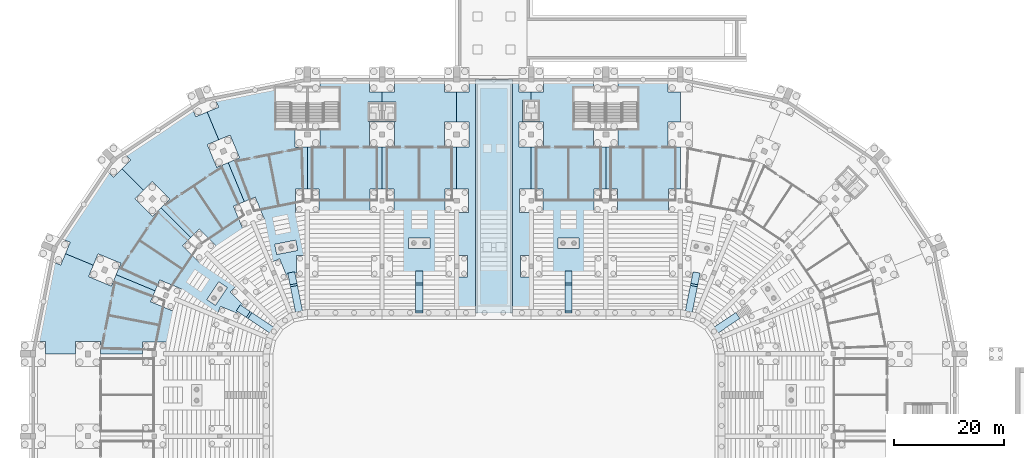
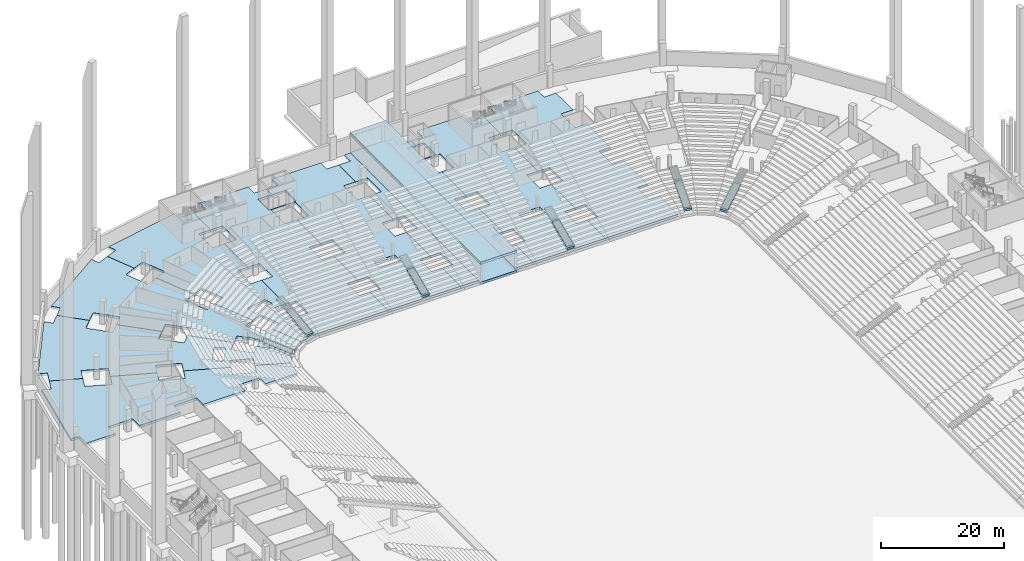
# One storey, part 19 of 115: 23 slabs.
"""IFC4 building model written with IfcOpenShell, lengths in metres."""

from ifc_helpers import new_model, si_unit, direction, frame, origin, place, context, subcontext, project, spatial, polyline, outline, extrude, material, layer, layer_set, type_object, element, save


model = new_model("IFC4")

# Units and contexts
model_context = context("Model", 3, precision=1e-05, world=origin(), true_north=direction((0.0, 1.0)))
body_context = subcontext(model_context, "Body", "Model", "MODEL_VIEW")
ifc_project = project(units=[si_unit("LENGTHUNIT", "METRE"), si_unit("AREAUNIT", "SQUARE_METRE"), si_unit("VOLUMEUNIT", "CUBIC_METRE"), si_unit("PLANEANGLEUNIT", "RADIAN"), si_unit("MASSUNIT", "GRAM", prefix="KILO")], contexts=[model_context])

# Site, building, storey
site_placement = place(None, origin())
site = spatial("IfcSite", under=ifc_project, at=site_placement, CompositionType="ELEMENT")
building_placement = place(site_placement, origin())
building = spatial("IfcBuilding", under=site, at=building_placement, Name="Ogive Plaza Stadium", CompositionType="ELEMENT")
storey_placement = place(building_placement, frame((0.0, 0.0, -4.5)))
storey = spatial("IfcBuildingStorey", under=building, at=storey_placement, Name="B1", CompositionType="ELEMENT", Elevation=-4.5)

# Slabs
ifc_material_1 = material(Name="Concrete C40/50", Category="concrete")
ifc_layer_1 = layer(ifc_material_1, 0.75927734375)
ifc_layer_set_1 = layer_set([ifc_layer_1], Name="Concrete C40/50")
ifc_layer_2 = layer(ifc_material_1, 0.449951171875)
ifc_layer_set_2 = layer_set([ifc_layer_2], Name="Concrete C40/50")
slab_type_1 = type_object("IfcSlabType", Name="Aisle stair slab 1300", PredefinedType="USERDEFINED", material=ifc_layer_set_2)
slab_1_placement = place(storey_placement, frame((-40.236083984375, 56.666748046875, 4.5), z_axis=(0.0, 0.0, 1.0), x_axis=(-0.831469612303, 0.55557023302, 0.0)))
element("IfcSlab", 1, at=slab_1_placement, inside=storey, type_object=slab_type_1, material=ifc_layer_set_1, Name="Aisle stair SA29D slab 1", ObjectType="AISLE STAIR SLAB", PredefinedType="USERDEFINED", context=body_context, shape_type="SweptSolid", body=[
    extrude(outline(polyline([(0.0, -3.375), (0.37158203125, -3.375), (5.10009765625, -1.288818359375), (5.10009765625, -1.699951171875), (5.01220703125, -1.73876953125), (4.8623046875, -1.804931640625), (4.71240234375, -1.87109375), (4.562255859375, -1.937255859375), (4.412353515625, -2.00341796875), (4.26220703125, -2.069580078125), (4.1123046875, -2.1357421875), (3.96240234375, -2.201904296875), (3.812255859375, -2.26806640625), (3.662353515625, -2.334228515625), (3.51220703125, -2.400390625), (3.3623046875, -2.466552734375), (3.21240234375, -2.53271484375), (3.062255859375, -2.59912109375), (2.912353515625, -2.665283203125), (2.76220703125, -2.731201171875), (2.6123046875, -2.797607421875), (2.46240234375, -2.86376953125), (2.312255859375, -2.929931640625), (2.162353515625, -2.99609375), (2.01220703125, -3.062255859375), (1.8623046875, -3.12841796875), (1.71240234375, -3.194580078125), (1.562255859375, -3.2607421875), (1.412353515625, -3.326904296875), (1.26220703125, -3.39306640625), (1.1123046875, -3.459228515625), (0.96240234375, -3.525390625), (0.812255859375, -3.591552734375), (0.662353515625, -3.65771484375), (0.60009765625, -3.685302734375), (0.60009765625, -3.949951171875), (0.51220703125, -3.949951171875), (0.3623046875, -3.949951171875), (0.21240234375, -3.949951171875), (0.0, -3.375)])), frame((0.0, 0.64990234375, 0.0), z_axis=(0.0, -1.0, 0.0), x_axis=(1.0, 0.0, 0.0)), (0.0, 0.0, 1.0), 1.300048828125),
])
ifc_layer_3 = layer(ifc_material_1, 0.5380859375)
ifc_layer_set_3 = layer_set([ifc_layer_3], Name="Concrete C40/50")
slab_2_placement = place(storey_placement, frame((-44.4765625, 59.500244140625, 4.5), z_axis=(0.0, 0.0, 1.0), x_axis=(-0.831469612303, 0.55557023302, 0.0)))
element("IfcSlab", 2, at=slab_2_placement, inside=storey, type_object=slab_type_1, material=ifc_layer_set_3, Name="Aisle stair SA29D slab 2", ObjectType="AISLE STAIR SLAB", PredefinedType="USERDEFINED", context=body_context, shape_type="SweptSolid", body=[
    extrude(outline(polyline([(0.0, -1.125), (0.37158203125, -1.125), (2.550048828125, -0.163818359375), (2.550048828125, -0.574951171875), (2.39990234375, -0.64111328125), (2.25, -0.70751953125), (2.10009765625, -0.7734375), (1.949951171875, -0.839599609375), (1.800048828125, -0.906005859375), (1.64990234375, -0.97216796875), (1.5, -1.0380859375), (1.35009765625, -1.1044921875), (1.199951171875, -1.170654296875), (1.050048828125, -1.23681640625), (0.89990234375, -1.302978515625), (0.75, -1.369140625), (0.60009765625, -1.435302734375), (0.449951171875, -1.50146484375), (0.300048828125, -1.567626953125), (0.14990234375, -1.6337890625), (0.0, -1.699951171875), (0.0, -1.125)])), frame((0.0, 0.64990234375, 0.0), z_axis=(0.0, -1.0, 0.0), x_axis=(1.0, 0.0, 0.0)), (0.0, 0.0, 1.0), 1.300048828125),
])
slab_3_placement = place(storey_placement, frame((-35.463134765625, 59.85595703125, 4.5), z_axis=(0.0, 0.0, 1.0), x_axis=(-0.195090322016, 0.980785280403, 0.0)))
element("IfcSlab", 3, at=slab_3_placement, inside=storey, type_object=slab_type_1, material=ifc_layer_set_1, Name="Aisle stair SA31D slab 1", ObjectType="AISLE STAIR SLAB", PredefinedType="USERDEFINED", context=body_context, shape_type="SweptSolid", body=[
    extrude(outline(polyline([(0.0, -3.375), (0.37158203125, -3.375), (5.10009765625, -1.288818359375), (5.10009765625, -1.699951171875), (5.01220703125, -1.73876953125), (4.8623046875, -1.804931640625), (4.71240234375, -1.87109375), (4.562255859375, -1.937255859375), (4.412353515625, -2.00341796875), (4.26220703125, -2.069580078125), (4.1123046875, -2.1357421875), (3.96240234375, -2.201904296875), (3.812255859375, -2.26806640625), (3.662353515625, -2.334228515625), (3.51220703125, -2.400390625), (3.3623046875, -2.466552734375), (3.21240234375, -2.53271484375), (3.062255859375, -2.59912109375), (2.912353515625, -2.665283203125), (2.76220703125, -2.731201171875), (2.6123046875, -2.797607421875), (2.46240234375, -2.86376953125), (2.312255859375, -2.929931640625), (2.162353515625, -2.99609375), (2.01220703125, -3.062255859375), (1.8623046875, -3.12841796875), (1.71240234375, -3.194580078125), (1.562255859375, -3.2607421875), (1.412353515625, -3.326904296875), (1.26220703125, -3.39306640625), (1.1123046875, -3.459228515625), (0.96240234375, -3.525390625), (0.812255859375, -3.591552734375), (0.662353515625, -3.65771484375), (0.60009765625, -3.685302734375), (0.60009765625, -3.949951171875), (0.51220703125, -3.949951171875), (0.3623046875, -3.949951171875), (0.21240234375, -3.949951171875), (0.0, -3.375)])), frame((0.0, 0.64990234375, 0.0), z_axis=(0.0, -1.0, 0.0), x_axis=(1.0, 0.0, 0.0)), (0.0, 0.0, 1.0), 1.300048828125),
])
slab_4_placement = place(storey_placement, frame((-36.458251953125, 64.85791015625, 4.5), z_axis=(0.0, 0.0, 1.0), x_axis=(-0.195090322016, 0.980785280403, 0.0)))
element("IfcSlab", 4, at=slab_4_placement, inside=storey, type_object=slab_type_1, material=ifc_layer_set_3, Name="Aisle stair SA31D slab 2", ObjectType="AISLE STAIR SLAB", PredefinedType="USERDEFINED", context=body_context, shape_type="SweptSolid", body=[
    extrude(outline(polyline([(0.0, -1.125), (0.37158203125, -1.125), (2.550048828125, -0.163818359375), (2.550048828125, -0.574951171875), (2.39990234375, -0.64111328125), (2.25, -0.70751953125), (2.10009765625, -0.7734375), (1.949951171875, -0.839599609375), (1.800048828125, -0.906005859375), (1.64990234375, -0.97216796875), (1.5, -1.0380859375), (1.35009765625, -1.1044921875), (1.199951171875, -1.170654296875), (1.050048828125, -1.23681640625), (0.89990234375, -1.302978515625), (0.75, -1.369140625), (0.60009765625, -1.435302734375), (0.449951171875, -1.50146484375), (0.300048828125, -1.567626953125), (0.14990234375, -1.6337890625), (0.0, -1.699951171875), (0.0, -1.125)])), frame((0.0, 0.64990234375, 0.0), z_axis=(0.0, -1.0, 0.0), x_axis=(1.0, 0.0, 0.0)), (0.0, 0.0, 1.0), 1.300048828125),
])
slab_5_placement = place(storey_placement, frame((-13.60009765625, 60.0, 4.5), z_axis=(0.0, 0.0, 1.0), x_axis=(0.0, 1.0, 0.0)))
element("IfcSlab", 5, at=slab_5_placement, inside=storey, type_object=slab_type_1, material=ifc_layer_set_1, Name="Aisle stair SA33D slab 1", ObjectType="AISLE STAIR SLAB", PredefinedType="USERDEFINED", context=body_context, shape_type="SweptSolid", body=[
    extrude(outline(polyline([(0.0, -3.375), (0.37158203125, -3.375), (5.10009765625, -1.288818359375), (5.10009765625, -1.699951171875), (5.01220703125, -1.73876953125), (4.8623046875, -1.804931640625), (4.71240234375, -1.87109375), (4.562255859375, -1.937255859375), (4.412353515625, -2.00341796875), (4.26220703125, -2.069580078125), (4.1123046875, -2.1357421875), (3.96240234375, -2.201904296875), (3.812255859375, -2.26806640625), (3.662353515625, -2.334228515625), (3.51220703125, -2.400390625), (3.3623046875, -2.466552734375), (3.21240234375, -2.53271484375), (3.062255859375, -2.59912109375), (2.912353515625, -2.665283203125), (2.76220703125, -2.731201171875), (2.6123046875, -2.797607421875), (2.46240234375, -2.86376953125), (2.312255859375, -2.929931640625), (2.162353515625, -2.99609375), (2.01220703125, -3.062255859375), (1.8623046875, -3.12841796875), (1.71240234375, -3.194580078125), (1.562255859375, -3.2607421875), (1.412353515625, -3.326904296875), (1.26220703125, -3.39306640625), (1.1123046875, -3.459228515625), (0.96240234375, -3.525390625), (0.812255859375, -3.591552734375), (0.662353515625, -3.65771484375), (0.60009765625, -3.685302734375), (0.60009765625, -3.949951171875), (0.51220703125, -3.949951171875), (0.3623046875, -3.949951171875), (0.21240234375, -3.949951171875), (0.0, -3.375)])), frame((0.0, 0.64990234375, 0.0), z_axis=(0.0, -1.0, 0.0), x_axis=(1.0, 0.0, 0.0)), (0.0, 0.0, 1.0), 1.300048828125),
])
slab_6_placement = place(storey_placement, frame((-13.60009765625, 65.10009765625, 4.5), z_axis=(0.0, 0.0, 1.0), x_axis=(0.0, 1.0, 0.0)))
element("IfcSlab", 6, at=slab_6_placement, inside=storey, type_object=slab_type_1, material=ifc_layer_set_3, Name="Aisle stair SA33D slab 2", ObjectType="AISLE STAIR SLAB", PredefinedType="USERDEFINED", context=body_context, shape_type="SweptSolid", body=[
    extrude(outline(polyline([(0.0, -1.125), (0.37158203125, -1.125), (2.550048828125, -0.163818359375), (2.550048828125, -0.574951171875), (2.39990234375, -0.64111328125), (2.25, -0.70751953125), (2.10009765625, -0.7734375), (1.949951171875, -0.839599609375), (1.800048828125, -0.906005859375), (1.64990234375, -0.97216796875), (1.5, -1.0380859375), (1.35009765625, -1.1044921875), (1.199951171875, -1.170654296875), (1.050048828125, -1.23681640625), (0.89990234375, -1.302978515625), (0.75, -1.369140625), (0.60009765625, -1.435302734375), (0.449951171875, -1.50146484375), (0.300048828125, -1.567626953125), (0.14990234375, -1.6337890625), (0.0, -1.699951171875), (0.0, -1.125)])), frame((0.0, 0.64990234375, 0.0), z_axis=(0.0, -1.0, 0.0), x_axis=(1.0, 0.0, 0.0)), (0.0, 0.0, 1.0), 1.300048828125),
])
slab_7_placement = place(storey_placement, frame((13.60009765625, 60.0, 4.5), z_axis=(0.0, 0.0, 1.0), x_axis=(0.0, 1.0, 0.0)))
element("IfcSlab", 7, at=slab_7_placement, inside=storey, type_object=slab_type_1, material=ifc_layer_set_1, Name="Aisle stair SA35D slab 1", ObjectType="AISLE STAIR SLAB", PredefinedType="USERDEFINED", context=body_context, shape_type="SweptSolid", body=[
    extrude(outline(polyline([(0.0, -3.375), (0.37158203125, -3.375), (5.10009765625, -1.288818359375), (5.10009765625, -1.699951171875), (5.01220703125, -1.73876953125), (4.8623046875, -1.804931640625), (4.71240234375, -1.87109375), (4.562255859375, -1.937255859375), (4.412353515625, -2.00341796875), (4.26220703125, -2.069580078125), (4.1123046875, -2.1357421875), (3.96240234375, -2.201904296875), (3.812255859375, -2.26806640625), (3.662353515625, -2.334228515625), (3.51220703125, -2.400390625), (3.3623046875, -2.466552734375), (3.21240234375, -2.53271484375), (3.062255859375, -2.59912109375), (2.912353515625, -2.665283203125), (2.76220703125, -2.731201171875), (2.6123046875, -2.797607421875), (2.46240234375, -2.86376953125), (2.312255859375, -2.929931640625), (2.162353515625, -2.99609375), (2.01220703125, -3.062255859375), (1.8623046875, -3.12841796875), (1.71240234375, -3.194580078125), (1.562255859375, -3.2607421875), (1.412353515625, -3.326904296875), (1.26220703125, -3.39306640625), (1.1123046875, -3.459228515625), (0.96240234375, -3.525390625), (0.812255859375, -3.591552734375), (0.662353515625, -3.65771484375), (0.60009765625, -3.685302734375), (0.60009765625, -3.949951171875), (0.51220703125, -3.949951171875), (0.3623046875, -3.949951171875), (0.21240234375, -3.949951171875), (0.0, -3.375)])), frame((0.0, 0.64990234375, 0.0), z_axis=(0.0, -1.0, 0.0), x_axis=(1.0, 0.0, 0.0)), (0.0, 0.0, 1.0), 1.300048828125),
])
slab_8_placement = place(storey_placement, frame((13.60009765625, 65.10009765625, 4.5), z_axis=(0.0, 0.0, 1.0), x_axis=(0.0, 1.0, 0.0)))
element("IfcSlab", 8, at=slab_8_placement, inside=storey, type_object=slab_type_1, material=ifc_layer_set_3, Name="Aisle stair SA35D slab 2", ObjectType="AISLE STAIR SLAB", PredefinedType="USERDEFINED", context=body_context, shape_type="SweptSolid", body=[
    extrude(outline(polyline([(0.0, -1.125), (0.37158203125, -1.125), (2.550048828125, -0.163818359375), (2.550048828125, -0.574951171875), (2.39990234375, -0.64111328125), (2.25, -0.70751953125), (2.10009765625, -0.7734375), (1.949951171875, -0.839599609375), (1.800048828125, -0.906005859375), (1.64990234375, -0.97216796875), (1.5, -1.0380859375), (1.35009765625, -1.1044921875), (1.199951171875, -1.170654296875), (1.050048828125, -1.23681640625), (0.89990234375, -1.302978515625), (0.75, -1.369140625), (0.60009765625, -1.435302734375), (0.449951171875, -1.50146484375), (0.300048828125, -1.567626953125), (0.14990234375, -1.6337890625), (0.0, -1.699951171875), (0.0, -1.125)])), frame((0.0, 0.64990234375, 0.0), z_axis=(0.0, -1.0, 0.0), x_axis=(1.0, 0.0, 0.0)), (0.0, 0.0, 1.0), 1.300048828125),
])
slab_9_placement = place(storey_placement, frame((35.463134765625, 59.85595703125, 4.5), z_axis=(0.0, 0.0, 1.0), x_axis=(0.195090322016, 0.980785280403, 0.0)))
element("IfcSlab", 9, at=slab_9_placement, inside=storey, type_object=slab_type_1, material=ifc_layer_set_1, Name="Aisle stair SA37D slab 1", ObjectType="AISLE STAIR SLAB", PredefinedType="USERDEFINED", context=body_context, shape_type="SweptSolid", body=[
    extrude(outline(polyline([(0.0, -3.375), (0.37158203125, -3.375), (5.10009765625, -1.288818359375), (5.10009765625, -1.699951171875), (5.01220703125, -1.73876953125), (4.8623046875, -1.804931640625), (4.71240234375, -1.87109375), (4.562255859375, -1.937255859375), (4.412353515625, -2.00341796875), (4.26220703125, -2.069580078125), (4.1123046875, -2.1357421875), (3.96240234375, -2.201904296875), (3.812255859375, -2.26806640625), (3.662353515625, -2.334228515625), (3.51220703125, -2.400390625), (3.3623046875, -2.466552734375), (3.21240234375, -2.53271484375), (3.062255859375, -2.59912109375), (2.912353515625, -2.665283203125), (2.76220703125, -2.731201171875), (2.6123046875, -2.797607421875), (2.46240234375, -2.86376953125), (2.312255859375, -2.929931640625), (2.162353515625, -2.99609375), (2.01220703125, -3.062255859375), (1.8623046875, -3.12841796875), (1.71240234375, -3.194580078125), (1.562255859375, -3.2607421875), (1.412353515625, -3.326904296875), (1.26220703125, -3.39306640625), (1.1123046875, -3.459228515625), (0.96240234375, -3.525390625), (0.812255859375, -3.591552734375), (0.662353515625, -3.65771484375), (0.60009765625, -3.685302734375), (0.60009765625, -3.949951171875), (0.51220703125, -3.949951171875), (0.3623046875, -3.949951171875), (0.21240234375, -3.949951171875), (0.0, -3.375)])), frame((0.0, 0.64990234375, 0.0), z_axis=(0.0, -1.0, 0.0), x_axis=(1.0, 0.0, 0.0)), (0.0, 0.0, 1.0), 1.300048828125),
])
slab_10_placement = place(storey_placement, frame((36.458251953125, 64.85791015625, 4.5), z_axis=(0.0, 0.0, 1.0), x_axis=(0.195090322016, 0.980785280403, 0.0)))
element("IfcSlab", 10, at=slab_10_placement, inside=storey, type_object=slab_type_1, material=ifc_layer_set_3, Name="Aisle stair SA37D slab 2", ObjectType="AISLE STAIR SLAB", PredefinedType="USERDEFINED", context=body_context, shape_type="SweptSolid", body=[
    extrude(outline(polyline([(0.0, -1.125), (0.37158203125, -1.125), (2.550048828125, -0.163818359375), (2.550048828125, -0.574951171875), (2.39990234375, -0.64111328125), (2.25, -0.70751953125), (2.10009765625, -0.7734375), (1.949951171875, -0.839599609375), (1.800048828125, -0.906005859375), (1.64990234375, -0.97216796875), (1.5, -1.0380859375), (1.35009765625, -1.1044921875), (1.199951171875, -1.170654296875), (1.050048828125, -1.23681640625), (0.89990234375, -1.302978515625), (0.75, -1.369140625), (0.60009765625, -1.435302734375), (0.449951171875, -1.50146484375), (0.300048828125, -1.567626953125), (0.14990234375, -1.6337890625), (0.0, -1.699951171875), (0.0, -1.125)])), frame((0.0, 0.64990234375, 0.0), z_axis=(0.0, -1.0, 0.0), x_axis=(1.0, 0.0, 0.0)), (0.0, 0.0, 1.0), 1.300048828125),
])
slab_11_placement = place(storey_placement, frame((40.236083984375, 56.666748046875, 4.5), z_axis=(0.0, 0.0, 1.0), x_axis=(0.831469612303, 0.55557023302, 0.0)))
element("IfcSlab", 11, at=slab_11_placement, inside=storey, type_object=slab_type_1, material=ifc_layer_set_1, Name="Aisle stair SA39D slab 1", ObjectType="AISLE STAIR SLAB", PredefinedType="USERDEFINED", context=body_context, shape_type="SweptSolid", body=[
    extrude(outline(polyline([(0.0, -3.375), (0.37158203125, -3.375), (5.10009765625, -1.288818359375), (5.10009765625, -1.699951171875), (5.01220703125, -1.73876953125), (4.8623046875, -1.804931640625), (4.71240234375, -1.87109375), (4.562255859375, -1.937255859375), (4.412353515625, -2.00341796875), (4.26220703125, -2.069580078125), (4.1123046875, -2.1357421875), (3.96240234375, -2.201904296875), (3.812255859375, -2.26806640625), (3.662353515625, -2.334228515625), (3.51220703125, -2.400390625), (3.3623046875, -2.466552734375), (3.21240234375, -2.53271484375), (3.062255859375, -2.59912109375), (2.912353515625, -2.665283203125), (2.76220703125, -2.731201171875), (2.6123046875, -2.797607421875), (2.46240234375, -2.86376953125), (2.312255859375, -2.929931640625), (2.162353515625, -2.99609375), (2.01220703125, -3.062255859375), (1.8623046875, -3.12841796875), (1.71240234375, -3.194580078125), (1.562255859375, -3.2607421875), (1.412353515625, -3.326904296875), (1.26220703125, -3.39306640625), (1.1123046875, -3.459228515625), (0.96240234375, -3.525390625), (0.812255859375, -3.591552734375), (0.662353515625, -3.65771484375), (0.60009765625, -3.685302734375), (0.60009765625, -3.949951171875), (0.51220703125, -3.949951171875), (0.3623046875, -3.949951171875), (0.21240234375, -3.949951171875), (0.0, -3.375)])), frame((0.0, 0.64990234375, 0.0), z_axis=(0.0, -1.0, 0.0), x_axis=(1.0, 0.0, 0.0)), (0.0, 0.0, 1.0), 1.300048828125),
])
ifc_material_2 = material(Name="Concrete C40/50", Category="concrete")
ifc_layer_4 = layer(ifc_material_2, 0.449951171875)
ifc_layer_set_4 = layer_set([ifc_layer_4], Name="Concrete C40/50")
slab_type_2 = type_object("IfcSlabType", Name="RC ground slab 450", PredefinedType="BASESLAB", material=ifc_layer_set_4)
slab_12_placement = place(storey_placement, frame((0.0, 0.0, -0.39990234375)))
element("IfcSlab", 12, at=slab_12_placement, inside=storey, type_object=slab_type_2, Name="Ground slab B1 B28", PredefinedType="BASESLAB", context=body_context, shape_type="SweptSolid", body=[
    extrude(outline(polyline([(-46.98046875, 57.876708984375), (-47.726806640625, 56.0751953125), (-51.329833984375, 57.567626953125), (-50.583740234375, 59.369140625), (-57.789794921875, 62.35400390625), (-58.612548828125, 60.36767578125), (-62.58544921875, 62.01318359375), (-61.7626953125, 63.999755859375), (-68.87646484375, 66.9462890625), (-69.737548828125, 64.86767578125), (-73.89501953125, 66.589599609375), (-73.033935546875, 68.66845703125), (-78.115234375, 70.773193359375), (-78.976318359375, 68.6943359375), (-80.41064453125, 69.28857421875), (-83.302490234375, 54.75), (-81.75, 54.75), (-81.75, 52.5), (-76.25, 52.5), (-76.25, 54.75), (-71.75, 54.75), (-71.75, 52.5), (-64.050048828125, 52.5), (-64.050048828125, 54.64990234375), (-59.75, 54.64990234375), (-59.75, 52.5), (-51.949951171875, 52.5), (-51.949951171875, 54.449951171875), (-48.050048828125, 54.449951171875), (-48.050048828125, 52.5), (-42.10009765625, 52.5), (-41.4833984375, 55.599853515625), (-46.98046875, 57.876708984375)])), origin(), (0.0, 0.0, 1.0), 0.449951171875),
])
slab_13_placement = place(storey_placement, frame((0.0, 0.0, -0.39990234375)))
element("IfcSlab", 13, at=slab_13_placement, inside=storey, type_object=slab_type_2, Name="Ground slab B1 B29", PredefinedType="BASESLAB", context=body_context, shape_type="SweptSolid", body=[
    extrude(outline(polyline([(-43.934814453125, 62.434814453125), (-45.313720703125, 61.055908203125), (-48.071533203125, 63.813720703125), (-46.692626953125, 65.192626953125), (-52.2080078125, 70.7080078125), (-53.728271484375, 69.187744140625), (-56.768798828125, 72.228271484375), (-55.24853515625, 73.74853515625), (-60.693359375, 79.193359375), (-62.2841796875, 77.602294921875), (-65.46630859375, 80.7841796875), (-63.875244140625, 82.375244140625), (-67.764404296875, 86.264404296875), (-69.355224609375, 84.67333984375), (-70.453125, 85.77099609375), (-78.6884765625, 73.446044921875), (-77.254150390625, 72.851806640625), (-78.115234375, 70.773193359375), (-73.033935546875, 68.66845703125), (-72.1728515625, 70.7470703125), (-68.015380859375, 69.025146484375), (-68.87646484375, 66.9462890625), (-61.7626953125, 63.999755859375), (-60.939697265625, 65.986083984375), (-56.967041015625, 64.34033203125), (-57.789794921875, 62.35400390625), (-50.583740234375, 59.369140625), (-49.83740234375, 61.170654296875), (-46.234375, 59.67822265625), (-46.98046875, 57.876708984375), (-41.4833984375, 55.599853515625), (-39.7275390625, 58.2275390625), (-43.934814453125, 62.434814453125)]), holes=[polyline([(-52.34619140625, 62.413330078125), (-50.766357421875, 61.357666015625), (-48.599609375, 64.600341796875), (-50.179443359375, 65.656005859375), (-52.34619140625, 62.413330078125)])]), origin(), (0.0, 0.0, 1.0), 0.449951171875),
])
slab_14_placement = place(storey_placement, frame((0.0, 0.0, -0.39990234375)))
element("IfcSlab", 14, at=slab_14_placement, inside=storey, type_object=slab_type_2, Name="Ground slab B1 B30", PredefinedType="BASESLAB", context=body_context, shape_type="SweptSolid", body=[
    extrude(outline(polyline([(-39.376708984375, 65.48046875), (-41.17822265625, 64.734375), (-42.670654296875, 68.33740234375), (-40.869140625, 69.083740234375), (-43.85400390625, 76.289794921875), (-45.84033203125, 75.467041015625), (-47.486083984375, 79.439697265625), (-45.499755859375, 80.2626953125), (-48.4462890625, 87.37646484375), (-50.525146484375, 86.515380859375), (-52.2470703125, 90.6728515625), (-50.16845703125, 91.533935546875), (-52.273193359375, 96.615234375), (-54.351806640625, 95.754150390625), (-54.946044921875, 97.1884765625), (-67.27099609375, 88.953125), (-66.17333984375, 87.855224609375), (-67.764404296875, 86.264404296875), (-63.875244140625, 82.375244140625), (-62.2841796875, 83.96630859375), (-59.102294921875, 80.7841796875), (-60.693359375, 79.193359375), (-55.24853515625, 73.74853515625), (-53.728271484375, 75.268798828125), (-50.687744140625, 72.228271484375), (-52.2080078125, 70.7080078125), (-46.692626953125, 65.192626953125), (-45.313720703125, 66.571533203125), (-42.555908203125, 63.813720703125), (-43.934814453125, 62.434814453125), (-39.7275390625, 58.2275390625), (-37.099853515625, 59.9833984375), (-39.376708984375, 65.48046875)])), origin(), (0.0, 0.0, 1.0), 0.449951171875),
])
slab_15_placement = place(storey_placement, frame((0.0, 0.0, -0.39990234375)))
element("IfcSlab", 15, at=slab_15_placement, inside=storey, type_object=slab_type_2, Name="Ground slab B1 B31", PredefinedType="BASESLAB", context=body_context, shape_type="SweptSolid", body=[
    extrude(outline(polyline([(-34.0, 66.550048828125), (-35.949951171875, 66.550048828125), (-35.949951171875, 70.449951171875), (-34.0, 70.449951171875), (-34.0, 78.25), (-36.14990234375, 78.25), (-36.14990234375, 82.550048828125), (-34.0, 82.550048828125), (-34.0, 90.25), (-36.25, 90.25), (-36.25, 94.75), (-34.0, 94.75), (-34.0, 100.25), (-36.25, 100.25), (-36.25, 101.802490234375), (-50.78857421875, 98.91064453125), (-50.1943359375, 97.476318359375), (-52.273193359375, 96.615234375), (-50.16845703125, 91.533935546875), (-48.089599609375, 92.39501953125), (-46.36767578125, 88.237548828125), (-48.4462890625, 87.37646484375), (-45.499755859375, 80.2626953125), (-43.51318359375, 81.08544921875), (-41.86767578125, 77.112548828125), (-43.85400390625, 76.289794921875), (-40.869140625, 69.083740234375), (-39.067626953125, 69.829833984375), (-37.5751953125, 66.226806640625), (-39.376708984375, 65.48046875), (-37.099853515625, 59.9833984375), (-34.0, 60.60009765625), (-34.0, 66.550048828125)]), holes=[polyline([(-39.962890625, 72.482421875), (-39.59228515625, 70.618896484375), (-35.767333984375, 71.3798828125), (-36.137939453125, 73.243408203125), (-39.962890625, 72.482421875)])]), origin(), (0.0, 0.0, 1.0), 0.449951171875),
])
slab_16_placement = place(storey_placement, frame((0.0, 0.0, -0.39990234375)))
element("IfcSlab", 16, at=slab_16_placement, inside=storey, type_object=slab_type_2, Name="Ground slab B1 B32", PredefinedType="BASESLAB", context=body_context, shape_type="SweptSolid", body=[
    extrude(outline(polyline([(-20.39990234375, 66.550048828125), (-22.35009765625, 66.550048828125), (-22.35009765625, 70.449951171875), (-20.39990234375, 70.449951171875), (-20.39990234375, 78.25), (-22.550048828125, 78.25), (-22.550048828125, 82.550048828125), (-20.39990234375, 82.550048828125), (-20.39990234375, 90.25), (-22.64990234375, 90.25), (-22.64990234375, 94.75), (-20.39990234375, 94.75), (-20.39990234375, 94.89990234375), (-22.97509765625, 94.89990234375), (-22.97509765625, 98.39990234375), (-20.39990234375, 98.39990234375), (-20.39990234375, 100.25), (-22.64990234375, 100.25), (-22.64990234375, 102.25), (-31.75, 102.25), (-31.75, 100.25), (-34.0, 100.25), (-34.0, 94.75), (-31.75, 94.75), (-31.75, 90.25), (-34.0, 90.25), (-34.0, 82.550048828125), (-31.85009765625, 82.550048828125), (-31.85009765625, 78.25), (-34.0, 78.25), (-34.0, 70.449951171875), (-32.050048828125, 70.449951171875), (-32.050048828125, 66.550048828125), (-34.0, 66.550048828125), (-34.0, 60.60009765625), (-20.39990234375, 60.60009765625), (-20.39990234375, 66.550048828125)])), origin(), (0.0, 0.0, 1.0), 0.449951171875),
])
slab_17_placement = place(storey_placement, frame((0.0, 0.0, -0.39990234375)))
element("IfcSlab", 17, at=slab_17_placement, inside=storey, type_object=slab_type_2, Name="Ground slab B1 B33", PredefinedType="BASESLAB", context=body_context, shape_type="SweptSolid", body=[
    extrude(outline(polyline([(-6.800048828125, 66.550048828125), (-8.75, 66.550048828125), (-8.75, 70.449951171875), (-6.800048828125, 70.449951171875), (-6.800048828125, 78.25), (-8.949951171875, 78.25), (-8.949951171875, 82.550048828125), (-6.800048828125, 82.550048828125), (-6.800048828125, 90.25), (-9.050048828125, 90.25), (-9.050048828125, 94.75), (-6.800048828125, 94.75), (-6.800048828125, 100.25), (-9.050048828125, 100.25), (-9.050048828125, 102.25), (-18.14990234375, 102.25), (-18.14990234375, 100.25), (-20.39990234375, 100.25), (-20.39990234375, 98.39990234375), (-17.824951171875, 98.39990234375), (-17.824951171875, 94.89990234375), (-20.39990234375, 94.89990234375), (-20.39990234375, 94.75), (-18.14990234375, 94.75), (-18.14990234375, 90.25), (-20.39990234375, 90.25), (-20.39990234375, 82.550048828125), (-18.25, 82.550048828125), (-18.25, 78.25), (-20.39990234375, 78.25), (-20.39990234375, 70.449951171875), (-18.449951171875, 70.449951171875), (-18.449951171875, 66.550048828125), (-20.39990234375, 66.550048828125), (-20.39990234375, 60.60009765625), (-6.800048828125, 60.60009765625), (-6.800048828125, 66.550048828125)]), holes=[polyline([(-15.550048828125, 73.64990234375), (-15.550048828125, 71.75), (-11.64990234375, 71.75), (-11.64990234375, 73.64990234375), (-15.550048828125, 73.64990234375)])]), origin(), (0.0, 0.0, 1.0), 0.449951171875),
])
slab_18_placement = place(storey_placement, frame((0.0, 0.0, -0.39990234375)))
element("IfcSlab", 18, at=slab_18_placement, inside=storey, type_object=slab_type_2, Name="Ground slab B1 B34", PredefinedType="BASESLAB", context=body_context, shape_type="SweptSolid", body=[
    extrude(outline(polyline([(6.800048828125, 66.550048828125), (4.85009765625, 66.550048828125), (4.85009765625, 70.449951171875), (6.800048828125, 70.449951171875), (6.800048828125, 78.25), (4.64990234375, 78.25), (4.64990234375, 82.550048828125), (6.800048828125, 82.550048828125), (6.800048828125, 90.25), (4.550048828125, 90.25), (4.550048828125, 94.75), (6.800048828125, 94.75), (6.800048828125, 94.89990234375), (5.25, 94.89990234375), (5.25, 98.800048828125), (6.800048828125, 98.800048828125), (6.800048828125, 100.25), (4.550048828125, 100.25), (4.550048828125, 102.25), (3.39990234375, 102.25), (3.39990234375, 60.60009765625), (6.800048828125, 60.60009765625), (6.800048828125, 66.550048828125)])), origin(), (0.0, 0.0, 1.0), 0.449951171875),
])
slab_19_placement = place(storey_placement, frame((0.0, 0.0, -0.39990234375)))
element("IfcSlab", 19, at=slab_19_placement, inside=storey, type_object=slab_type_2, Name="Ground slab B1 B34", PredefinedType="BASESLAB", context=body_context, shape_type="SweptSolid", body=[
    extrude(outline(polyline([(-4.550048828125, 102.25), (-4.550048828125, 100.25), (-6.800048828125, 100.25), (-6.800048828125, 94.75), (-4.550048828125, 94.75), (-4.550048828125, 90.25), (-6.800048828125, 90.25), (-6.800048828125, 82.550048828125), (-4.64990234375, 82.550048828125), (-4.64990234375, 78.25), (-6.800048828125, 78.25), (-6.800048828125, 70.449951171875), (-4.85009765625, 70.449951171875), (-4.85009765625, 66.550048828125), (-6.800048828125, 66.550048828125), (-6.800048828125, 60.60009765625), (-3.39990234375, 60.60009765625), (-3.39990234375, 102.25), (-4.550048828125, 102.25)])), origin(), (0.0, 0.0, 1.0), 0.449951171875),
])
slab_20_placement = place(storey_placement, frame((0.0, 0.0, -0.39990234375)))
element("IfcSlab", 20, at=slab_20_placement, inside=storey, type_object=slab_type_2, Name="Ground slab B1 B35", PredefinedType="BASESLAB", context=body_context, shape_type="SweptSolid", body=[
    extrude(outline(polyline([(20.39990234375, 66.550048828125), (18.449951171875, 66.550048828125), (18.449951171875, 70.449951171875), (20.39990234375, 70.449951171875), (20.39990234375, 78.25), (18.25, 78.25), (18.25, 82.550048828125), (20.39990234375, 82.550048828125), (20.39990234375, 90.25), (18.14990234375, 90.25), (18.14990234375, 94.75), (20.39990234375, 94.75), (20.39990234375, 100.25), (18.14990234375, 100.25), (18.14990234375, 102.25), (9.050048828125, 102.25), (9.050048828125, 100.25), (6.800048828125, 100.25), (6.800048828125, 98.800048828125), (8.35009765625, 98.800048828125), (8.35009765625, 94.89990234375), (6.800048828125, 94.89990234375), (6.800048828125, 94.75), (9.050048828125, 94.75), (9.050048828125, 90.25), (6.800048828125, 90.25), (6.800048828125, 82.550048828125), (8.949951171875, 82.550048828125), (8.949951171875, 78.25), (6.800048828125, 78.25), (6.800048828125, 70.449951171875), (8.75, 70.449951171875), (8.75, 66.550048828125), (6.800048828125, 66.550048828125), (6.800048828125, 60.60009765625), (20.39990234375, 60.60009765625), (20.39990234375, 66.550048828125)]), holes=[polyline([(11.64990234375, 73.64990234375), (11.64990234375, 71.75), (15.550048828125, 71.75), (15.550048828125, 73.64990234375), (11.64990234375, 73.64990234375)])]), origin(), (0.0, 0.0, 1.0), 0.449951171875),
])
slab_21_placement = place(storey_placement, frame((0.0, 0.0, -0.39990234375)))
element("IfcSlab", 21, at=slab_21_placement, inside=storey, type_object=slab_type_2, Name="Ground slab B1 B36", PredefinedType="BASESLAB", context=body_context, shape_type="SweptSolid", body=[
    extrude(outline(polyline([(34.0, 66.550048828125), (32.050048828125, 66.550048828125), (32.050048828125, 70.449951171875), (34.0, 70.449951171875), (34.0, 78.25), (31.85009765625, 78.25), (31.85009765625, 82.550048828125), (34.0, 82.550048828125), (34.0, 90.25), (31.75, 90.25), (31.75, 94.75), (34.0, 94.75), (34.0, 100.25), (31.75, 100.25), (31.75, 102.25), (22.64990234375, 102.25), (22.64990234375, 100.25), (20.39990234375, 100.25), (20.39990234375, 94.75), (22.64990234375, 94.75), (22.64990234375, 90.25), (20.39990234375, 90.25), (20.39990234375, 82.550048828125), (22.550048828125, 82.550048828125), (22.550048828125, 78.25), (20.39990234375, 78.25), (20.39990234375, 70.449951171875), (22.35009765625, 70.449951171875), (22.35009765625, 66.550048828125), (20.39990234375, 66.550048828125), (20.39990234375, 60.60009765625), (34.0, 60.60009765625), (34.0, 66.550048828125)])), origin(), (0.0, 0.0, 1.0), 0.449951171875),
])
ifc_material_3 = material(Name="Concrete C35/45", Category="concrete")
ifc_layer_5 = layer(ifc_material_3, 0.449951171875)
ifc_layer_set_5 = layer_set([ifc_layer_5], Name="Concrete C35/45")
slab_type_3 = type_object("IfcSlabType", Name="Tunnel floor slab 450", PredefinedType="BASESLAB", material=ifc_layer_set_5)
slab_22_placement = place(storey_placement, frame((0.0, 0.0, -0.449951171875)))
element("IfcSlab", 22, at=slab_22_placement, inside=storey, type_object=slab_type_3, Name="Pitch access tunnel floor", PredefinedType="BASESLAB", context=body_context, shape_type="SweptSolid", body=[
    extrude(outline(polyline([(-3.39990234375, 60.0), (3.39990234375, 60.0), (3.39990234375, 102.5), (-3.39990234375, 102.5), (-3.39990234375, 60.0)])), origin(), (0.0, 0.0, 1.0), 0.449951171875),
])
ifc_material_4 = material(Name="Concrete C40/50", Category="concrete")
ifc_layer_6 = layer(ifc_material_4, 0.5)
ifc_layer_set_6 = layer_set([ifc_layer_6], Name="Concrete C40/50")
slab_type_4 = type_object("IfcSlabType", Name="Tunnel roof slab 500", PredefinedType="FLOOR", material=ifc_layer_set_6)
slab_23_placement = place(storey_placement, frame((0.0, 0.0, 3.5)))
element("IfcSlab", 23, at=slab_23_placement, inside=storey, type_object=slab_type_4, Name="Pitch access tunnel roof", PredefinedType="FLOOR", context=body_context, shape_type="SweptSolid", body=[
    extrude(outline(polyline([(-3.39990234375, 60.0), (3.39990234375, 60.0), (3.39990234375, 102.5), (-3.39990234375, 102.5), (-3.39990234375, 60.0)])), origin(), (0.0, 0.0, 1.0), 0.5),
])

save(model, "model.ifc")
